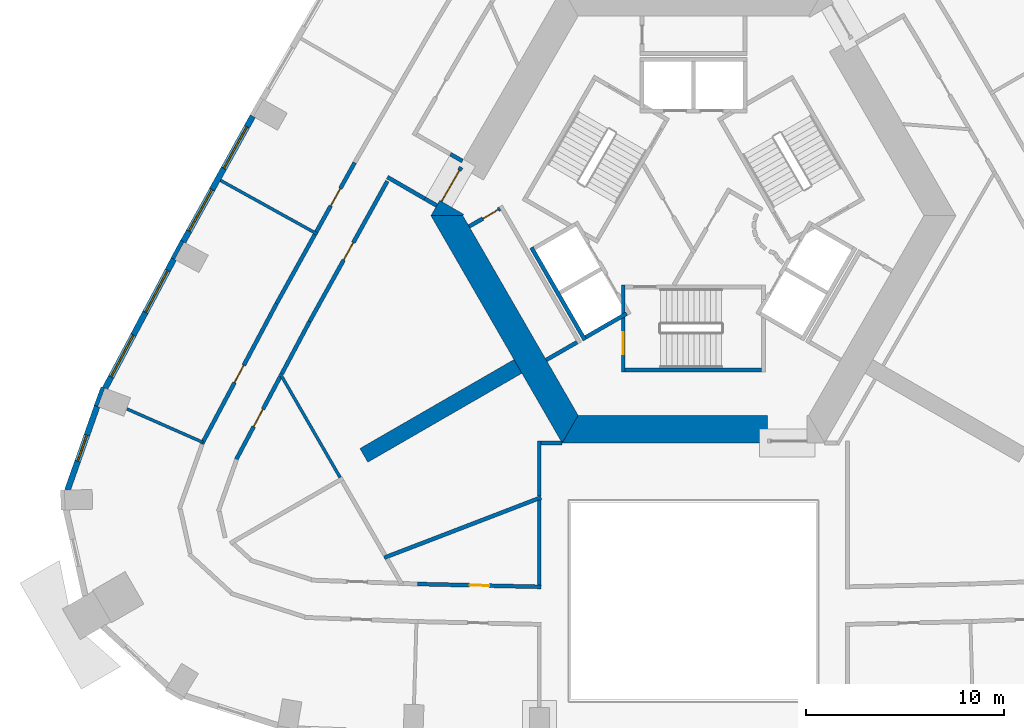
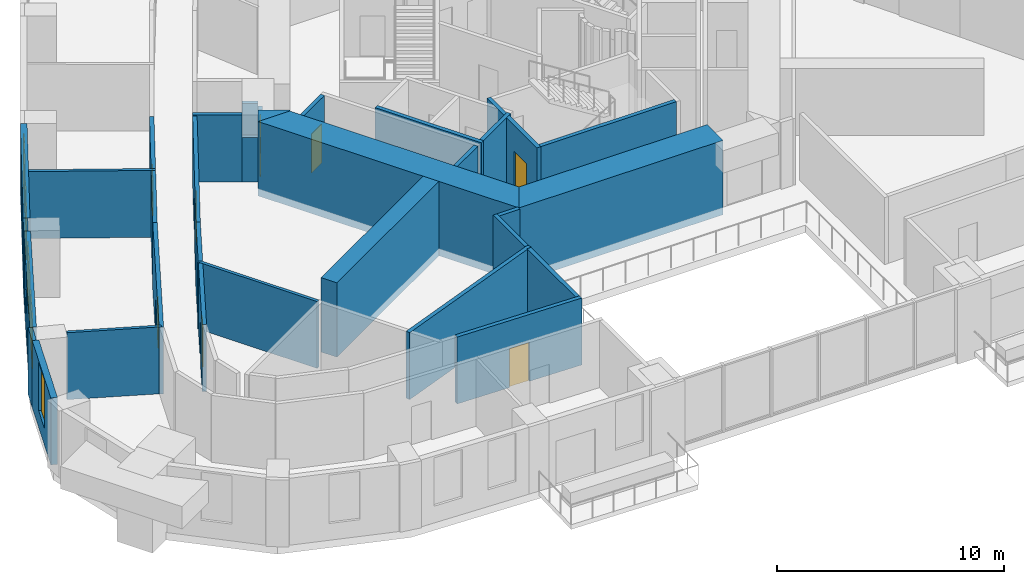
# One storey, part 4 of 13: 33 walls, 8 doors, 5 windows, 13 openings.
"""IFC4 building model written with IfcOpenShell, lengths in metres."""

from ifc_helpers import new_model, si_unit, direction, frame, frame_2d, origin, place, context, subcontext, project, spatial, polyline, rectangle, outline, extrude, material, layer, layer_set, type_object, element, fill, save


model = new_model("IFC4")

# Units and contexts
model_context = context("Model", 3, precision=1e-05, world=origin(), true_north=direction((0.0, 1.0)))
body_context = subcontext(model_context, "Body", "Model", "MODEL_VIEW")
ifc_project = project(units=[si_unit("LENGTHUNIT", "METRE"), si_unit("AREAUNIT", "SQUARE_METRE"), si_unit("VOLUMEUNIT", "CUBIC_METRE"), si_unit("PLANEANGLEUNIT", "RADIAN"), si_unit("MASSUNIT", "GRAM", prefix="KILO")], contexts=[model_context])

# Site, building, storey
site_placement = place(None, origin())
site = spatial("IfcSite", under=ifc_project, at=site_placement, CompositionType="ELEMENT")
building_placement = place(site_placement, origin())
building = spatial("IfcBuilding", under=site, at=building_placement, Name="Entoto Arch Interchange Tower", CompositionType="ELEMENT")
storey_placement = place(building_placement, frame((0.0, 0.0, 231.800048828125)))
storey = spatial("IfcBuildingStorey", under=building, at=storey_placement, Name="L52", CompositionType="ELEMENT", Elevation=231.800048828125)

# Wall
ifc_material_1 = material(Name="Concrete C50/60", Category="concrete")
ifc_layer_1 = layer(ifc_material_1, 0.800048828125)
ifc_layer_set_1 = layer_set([ifc_layer_1], Name="Concrete C50/60")
wall_type_1 = type_object("IfcWallType", Name="Buttress wall 800 C50/60", PredefinedType="SHEAR", material=ifc_layer_set_1)
wall_1_placement = place(storey_placement, frame((-8.876953125, -5.125, -0.400146484375), z_axis=(0.0, 0.0, 1.0), x_axis=(-0.866017533419, -0.500013631625, 0.0)))
element("IfcWall", 1, at=wall_1_placement, inside=storey, type_object=wall_type_1, Name="Buttress wall SW L52", PredefinedType="SHEAR", context=body_context, shape_type="SweptSolid", body=[
    extrude(rectangle(XDim=8.999755859375, YDim=0.800048828125, at=frame_2d((4.5, 0.0))), origin(), (0.0, 0.0, 1.0), 4.0),
])

# Wall, opening, door
ifc_material_2 = material(Name="Reinforced concrete C40/50", Category="concrete")
ifc_layer_2 = layer(ifc_material_2, 0.199951171875)
ifc_layer_set_2 = layer_set([ifc_layer_2], Name="Reinforced concrete C40/50")
wall_type_2 = type_object("IfcWallType", Name="CORE GAP INFILL WALL", PredefinedType="PARTITIONING", material=ifc_layer_set_2)
wall_2_placement = place(storey_placement, frame((-11.7470703125, 4.951904296875, 0.0), z_axis=(0.0, 0.0, 1.0), x_axis=(-0.50002537861, -0.866010750942, 0.0)))
wall_2 = element("IfcWall", 2, at=wall_2_placement, inside=storey, type_object=wall_type_2, Name="wall:L52:gap3", PredefinedType="PARTITIONING", context=body_context, shape_type="SweptSolid", body=[
    extrude(rectangle(XDim=2.0, YDim=0.199951171875, at=frame_2d((1.0, 0.0))), origin(), (0.0, 0.0, 1.0), 2.39990234375),
])
opening_1_placement = place(wall_2_placement, frame((0.18994140625, 0.0, 0.0)))
opening_1 = element("IfcOpeningElement", 3, at=opening_1_placement, cuts=wall_2, Name="Opening L52-D93", PredefinedType="OPENING", context=body_context, shape_type="SweptSolid", body=[
    extrude(rectangle(XDim=1.800048828125, YDim=2.10009765625, at=frame_2d((0.89990234375, 1.050048828125))), frame((0.0, 0.10986328125, 0.0), z_axis=(0.0, -1.0, 0.0), x_axis=(1.0, 0.0, 0.0)), (0.0, 0.0, 1.0), 0.219970703125),
])
ifc_material_3 = material(Name="Fire-rated Steel S235 door and frame", Category="steel")
door_type_1 = type_object("IfcDoorType", Name="DOOR FD-18 1800x2100", OperationType="DOUBLE_DOOR_SINGLE_SWING", PredefinedType="DOOR", material=ifc_material_3)
door_1_placement = place(opening_1_placement, origin())
door_1 = element("IfcDoor", 4, at=door_1_placement, inside=storey, type_object=door_type_1, Name="door:L52:gap3", OperationType="DOUBLE_DOOR_SINGLE_SWING", OverallHeight=2.10009765625, OverallWidth=1.800048828125, PredefinedType="DOOR", context=body_context, shape_type="SweptSolid", body=[
    extrude(rectangle(XDim=1.800048828125, YDim=2.10009765625, at=frame_2d((0.89990234375, 1.050048828125))), frame((0.0, 0.02490234375, 0.0), z_axis=(0.0, -1.0, 0.0), x_axis=(1.0, 0.0, 0.0)), (0.0, 0.0, 1.0), 0.050048828125),
])
fill(opening_1, door_1)

# Walls
ifc_layer_3 = layer(ifc_material_1, 1.39990234375)
ifc_layer_set_3 = layer_set([ifc_layer_3], Name="Concrete C50/60")
wall_type_3 = type_object("IfcWallType", Name="Core wall 1400 C50/60", PredefinedType="SHEAR", material=ifc_layer_set_3)
wall_3_placement = place(storey_placement, frame((0.0, 0.0, -0.400146484375)))
element("IfcWall", 5, at=wall_3_placement, inside=storey, type_object=wall_type_3, Name="Core wall NW L52", PredefinedType="SHEAR", context=body_context, shape_type="SweptSolid", body=[
    extrude(outline(polyline([(-11.6220703125, 2.570068359375), (-12.833984375, 3.27001953125), (-13.279052734375, 2.5), (-11.662109375, 2.5), (-11.6220703125, 2.570068359375)])), origin(), (0.0, 0.0, 1.0), 4.0),
])
wall_4_placement = place(storey_placement, frame((0.0, 0.0, -0.400146484375)))
element("IfcWall", 6, at=wall_4_placement, inside=storey, type_object=wall_type_3, Name="Core wall SW L52", PredefinedType="SHEAR", context=body_context, shape_type="SweptSolid", body=[
    extrude(outline(polyline([(-13.279052734375, 2.5), (-6.639892578125, -9.0), (-5.8310546875, -7.60009765625), (-11.662109375, 2.5), (-13.279052734375, 2.5)])), origin(), (0.0, 0.0, 1.0), 4.0),
])
wall_5_placement = place(storey_placement, frame((0.0, 0.0, -0.400146484375)))
element("IfcWall", 7, at=wall_5_placement, inside=storey, type_object=wall_type_3, Name="Core wall S L52", PredefinedType="SHEAR", context=body_context, shape_type="SweptSolid", body=[
    extrude(outline(polyline([(3.75, -9.0), (3.75, -7.60009765625), (-5.8310546875, -7.60009765625), (-6.639892578125, -9.0), (3.75, -9.0)])), origin(), (0.0, 0.0, 1.0), 4.0),
])
ifc_material_4 = material(Name="Concrete C40/50", Category="concrete")
ifc_layer_4 = layer(ifc_material_4, 0.199951171875)
ifc_layer_set_4 = layer_set([ifc_layer_4], Name="Concrete C40/50")
wall_type_4 = type_object("IfcWallType", Name="LIFT SHAFT WALL 200", PredefinedType="STANDARD", material=ifc_layer_set_4)
wall_6_placement = place(storey_placement, frame((-8.19189453125, 0.887939453125, 0.0), z_axis=(0.0, 0.0, 1.0), x_axis=(0.500034260056, -0.866005622828, 0.0)))
element("IfcWall", 8, at=wall_6_placement, inside=storey, type_object=wall_type_4, Name="Shaft wall SW1 back", PredefinedType="STANDARD", context=body_context, shape_type="SweptSolid", body=[
    extrude(rectangle(XDim=5.3994140625, YDim=0.199951171875, at=frame_2d((2.69970703125, 0.0))), origin(), (0.0, 0.0, 1.0), 3.599853515625),
])
wall_7_placement = place(storey_placement, frame((-3.376953125, -2.451904296875, 0.0), z_axis=(0.0, 0.0, 1.0), x_axis=(-0.865955154139, -0.50012165622, 0.0)))
element("IfcWall", 9, at=wall_7_placement, inside=storey, type_object=wall_type_4, Name="Shaft wall SW1 cross 3", PredefinedType="STANDARD", context=body_context, shape_type="SweptSolid", body=[
    extrude(rectangle(XDim=2.39990234375, YDim=0.199951171875, at=frame_2d((1.199951171875, 0.0))), origin(), (0.0, 0.0, 1.0), 3.599853515625),
])
ifc_material_5 = material(Name="Gypsum board partition on steel studs", Category="steel")
ifc_layer_5 = layer(ifc_material_5, 0.14990234375)
ifc_layer_set_5 = layer_set([ifc_layer_5], Name="Gypsum board partition on steel studs")
wall_type_5 = type_object("IfcWallType", Name="PARTITION 150", PredefinedType="PARTITIONING", material=ifc_layer_set_5)
wall_8_placement = place(storey_placement, frame((-17.8701171875, -10.7490234375, 0.0), z_axis=(0.0, 0.0, 1.0), x_axis=(-0.499907758807, 0.866078652713, 0.0)))
element("IfcWall", 10, at=wall_8_placement, inside=storey, type_object=wall_type_5, Name="wall:L52:p110", PredefinedType="PARTITIONING", context=body_context, shape_type="SweptSolid", body=[
    extrude(rectangle(XDim=6.082763671875, YDim=0.14990234375, at=frame_2d((3.04150390625, 0.0))), origin(), (0.0, 0.0, 1.0), 3.599853515625),
])
wall_9_placement = place(storey_placement, frame((-19.02490234375, 1.570068359375, 0.0), z_axis=(0.0, 0.0, 1.0), x_axis=(-0.874714019242, 0.484639437666, 0.0)))
element("IfcWall", 11, at=wall_9_placement, inside=storey, type_object=wall_type_5, Name="wall:L52:p124", PredefinedType="PARTITIONING", context=body_context, shape_type="SweptSolid", body=[
    extrude(rectangle(XDim=5.599853515625, YDim=0.14990234375, at=frame_2d((2.7998046875, 0.0))), origin(), (0.0, 0.0, 1.0), 3.599853515625),
])
wall_10_placement = place(storey_placement, frame((-24.819091796875, -8.964111328125, 0.0), z_axis=(0.0, 0.0, 1.0), x_axis=(-0.915460951187, 0.402406817602, 0.0)))
element("IfcWall", 12, at=wall_10_placement, inside=storey, type_object=wall_type_5, Name="wall:L52:p125", PredefinedType="PARTITIONING", context=body_context, shape_type="SweptSolid", body=[
    extrude(rectangle(XDim=4.1923828125, YDim=0.14990234375, at=frame_2d((2.09619140625, 0.0))), origin(), (0.0, 0.0, 1.0), 3.599853515625),
])

# Wall, opening, door
ifc_layer_6 = layer(ifc_material_5, 0.199951171875)
ifc_layer_set_6 = layer_set([ifc_layer_6], Name="Gypsum board partition on steel studs")
wall_type_6 = type_object("IfcWallType", Name="PARTITION 200", PredefinedType="PARTITIONING", material=ifc_layer_set_6)
wall_11_placement = place(storey_placement, frame((-15.48193359375, 4.2490234375, 0.0), z_axis=(0.0, 0.0, 1.0), x_axis=(-0.484683114876, -0.874689818252, 0.0)))
wall_11 = element("IfcWall", 13, at=wall_11_placement, inside=storey, type_object=wall_type_6, Name="wall:L52:p029", PredefinedType="PARTITIONING", context=body_context, shape_type="SweptSolid", body=[
    extrude(rectangle(XDim=8.122802734375, YDim=0.199951171875, at=frame_2d((4.0615234375, 0.0))), origin(), (0.0, 0.0, 1.0), 3.599853515625),
])
opening_2_placement = place(wall_11_placement, frame((3.56103515625, 0.0, 0.0)))
opening_2 = element("IfcOpeningElement", 14, at=opening_2_placement, cuts=wall_11, Name="Opening L52-D20", PredefinedType="OPENING", context=body_context, shape_type="SweptSolid", body=[
    extrude(rectangle(XDim=1.0, YDim=2.10009765625, at=frame_2d((0.5, 1.050048828125))), frame((0.0, 0.10986328125, 0.0), z_axis=(0.0, -1.0, 0.0), x_axis=(1.0, 0.0, 0.0)), (0.0, 0.0, 1.0), 0.219970703125),
])
ifc_material_6 = material(Name="Timber door leaf in Steel S235 frame", Category="steel")
door_type_2 = type_object("IfcDoorType", Name="DOOR DS-10 1000x2100", OperationType="SINGLE_SWING_LEFT", PredefinedType="DOOR", material=ifc_material_6)
door_2_placement = place(opening_2_placement, origin())
door_2 = element("IfcDoor", 15, at=door_2_placement, inside=storey, type_object=door_type_2, Name="door:L52:20", OperationType="SINGLE_SWING_LEFT", OverallHeight=2.10009765625, OverallWidth=1.0, PredefinedType="DOOR", context=body_context, shape_type="SweptSolid", body=[
    extrude(rectangle(XDim=1.0, YDim=2.10009765625, at=frame_2d((0.5, 1.050048828125))), frame((0.0, 0.02490234375, 0.0), z_axis=(0.0, -1.0, 0.0), x_axis=(1.0, 0.0, 0.0)), (0.0, 0.0, 1.0), 0.050048828125),
])
fill(opening_2, door_2)

# Walls
wall_12_placement = place(storey_placement, frame((-19.4189453125, -2.85595703125, 0.0), z_axis=(0.0, 0.0, 1.0), x_axis=(-0.469627838973, -0.882864481595, 0.0)))
element("IfcWall", 16, at=wall_12_placement, inside=storey, type_object=wall_type_6, Name="wall:L52:p030", PredefinedType="PARTITIONING", context=body_context, shape_type="SweptSolid", body=[
    extrude(rectangle(XDim=2.995849609375, YDim=0.199951171875, at=frame_2d((1.498046875, 0.0))), origin(), (0.0, 0.0, 1.0), 3.599853515625),
])
wall_13_placement = place(storey_placement, frame((-12.98388671875, 3.010009765625, 0.0), z_axis=(0.0, 0.0, 1.0), x_axis=(-0.865959057869, 0.500114896893, 0.0)))
element("IfcWall", 17, at=wall_13_placement, inside=storey, type_object=wall_type_6, Name="wall:L52:p031", PredefinedType="PARTITIONING", context=body_context, shape_type="SweptSolid", body=[
    extrude(rectangle(XDim=0.699951171875, YDim=0.199951171875, at=frame_2d((0.35009765625, 0.0))), origin(), (0.0, 0.0, 1.0), 2.39990234375),
])

# Wall, opening, door
wall_14_placement = place(storey_placement, frame((-13.9541015625, -16.133056640625, 0.0), z_axis=(0.0, 0.0, 1.0), x_axis=(0.999731273021, -0.023181495732, 0.0)))
wall_14 = element("IfcWall", 18, at=wall_14_placement, inside=storey, type_object=wall_type_6, Name="wall:L52:p033", PredefinedType="PARTITIONING", context=body_context, shape_type="SweptSolid", body=[
    extrude(rectangle(XDim=6.255859375, YDim=0.199951171875, at=frame_2d((3.1279296875, 0.0))), origin(), (0.0, 0.0, 1.0), 3.599853515625),
])
opening_3_placement = place(wall_14_placement, frame((2.6279296875, 0.0, 0.0)))
opening_3 = element("IfcOpeningElement", 19, at=opening_3_placement, cuts=wall_14, Name="Opening L52-D21", PredefinedType="OPENING", context=body_context, shape_type="SweptSolid", body=[
    extrude(rectangle(XDim=1.0, YDim=2.10009765625, at=frame_2d((0.5, 1.050048828125))), frame((0.0, 0.10986328125, 0.0), z_axis=(0.0, -1.0, 0.0), x_axis=(1.0, 0.0, 0.0)), (0.0, 0.0, 1.0), 0.219970703125),
])
door_3_placement = place(opening_3_placement, origin())
door_3 = element("IfcDoor", 20, at=door_3_placement, inside=storey, type_object=door_type_2, Name="door:L52:21", OperationType="SINGLE_SWING_LEFT", OverallHeight=2.10009765625, OverallWidth=1.0, PredefinedType="DOOR", context=body_context, shape_type="SweptSolid", body=[
    extrude(rectangle(XDim=1.0, YDim=2.10009765625, at=frame_2d((0.5, 1.050048828125))), frame((0.0, 0.02490234375, 0.0), z_axis=(0.0, -1.0, 0.0), x_axis=(1.0, 0.0, 0.0)), (0.0, 0.0, 1.0), 0.050048828125),
])
fill(opening_3, door_3)

wall_15_placement = place(storey_placement, frame((-20.89599609375, -5.634033203125, 0.0), z_axis=(0.0, 0.0, 1.0), x_axis=(-0.469448951755, -0.882959614986, 0.0)))
wall_15 = element("IfcWall", 21, at=wall_15_placement, inside=storey, type_object=wall_type_6, Name="wall:L52:p034", PredefinedType="PARTITIONING", context=body_context, shape_type="SweptSolid", body=[
    extrude(rectangle(XDim=4.73974609375, YDim=0.199951171875, at=frame_2d((2.369873046875, 0.0))), origin(), (0.0, 0.0, 1.0), 3.599853515625),
])
opening_4_placement = place(wall_15_placement, frame((1.8701171875, 0.0, 0.0)))
opening_4 = element("IfcOpeningElement", 22, at=opening_4_placement, cuts=wall_15, Name="Opening L52-D22", PredefinedType="OPENING", context=body_context, shape_type="SweptSolid", body=[
    extrude(rectangle(XDim=1.0, YDim=2.10009765625, at=frame_2d((0.5, 1.050048828125))), frame((0.0, 0.10986328125, 0.0), z_axis=(0.0, -1.0, 0.0), x_axis=(1.0, 0.0, 0.0)), (0.0, 0.0, 1.0), 0.219970703125),
])
door_4_placement = place(opening_4_placement, origin())
door_4 = element("IfcDoor", 23, at=door_4_placement, inside=storey, type_object=door_type_2, Name="door:L52:22", OperationType="SINGLE_SWING_LEFT", OverallHeight=2.10009765625, OverallWidth=1.0, PredefinedType="DOOR", context=body_context, shape_type="SweptSolid", body=[
    extrude(rectangle(XDim=1.0, YDim=2.10009765625, at=frame_2d((0.5, 1.050048828125))), frame((0.0, 0.02490234375, 0.0), z_axis=(0.0, -1.0, 0.0), x_axis=(1.0, 0.0, 0.0)), (0.0, 0.0, 1.0), 0.050048828125),
])
fill(opening_4, door_4)

wall_16_placement = place(storey_placement, frame((-19.075927734375, 1.68408203125, 0.0), z_axis=(0.0, 0.0, 1.0), x_axis=(0.484679349661, 0.874691904623, 0.0)))
wall_16 = element("IfcWall", 24, at=wall_16_placement, inside=storey, type_object=wall_type_6, Name="wall:L52:p061", PredefinedType="PARTITIONING", context=body_context, shape_type="SweptSolid", body=[
    extrude(rectangle(XDim=4.00244140625, YDim=0.199951171875, at=frame_2d((2.001220703125, 0.0))), origin(), (0.0, 0.0, 1.0), 3.599853515625),
])
opening_5_placement = place(wall_16_placement, frame((1.5009765625, 0.0, 0.0)))
opening_5 = element("IfcOpeningElement", 25, at=opening_5_placement, cuts=wall_16, Name="Opening L52-D11", PredefinedType="OPENING", context=body_context, shape_type="SweptSolid", body=[
    extrude(rectangle(XDim=1.0, YDim=2.10009765625, at=frame_2d((0.5, 1.050048828125))), frame((0.0, 0.10986328125, 0.0), z_axis=(0.0, -1.0, 0.0), x_axis=(1.0, 0.0, 0.0)), (0.0, 0.0, 1.0), 0.219970703125),
])
door_5_placement = place(opening_5_placement, origin())
door_5 = element("IfcDoor", 26, at=door_5_placement, inside=storey, type_object=door_type_2, Name="door:L52:11", OperationType="SINGLE_SWING_LEFT", OverallHeight=2.10009765625, OverallWidth=1.0, PredefinedType="DOOR", context=body_context, shape_type="SweptSolid", body=[
    extrude(rectangle(XDim=1.0, YDim=2.10009765625, at=frame_2d((0.5, 1.050048828125))), frame((0.0, 0.02490234375, 0.0), z_axis=(0.0, -1.0, 0.0), x_axis=(1.0, 0.0, 0.0)), (0.0, 0.0, 1.0), 0.050048828125),
])
fill(opening_5, door_5)

wall_17_placement = place(storey_placement, frame((-24.865966796875, -9.052978515625, 0.0), z_axis=(0.0, 0.0, 1.0), x_axis=(0.469431794586, 0.882968736837, 0.0)))
wall_17 = element("IfcWall", 27, at=wall_17_placement, inside=storey, type_object=wall_type_6, Name="wall:L52:p063", PredefinedType="PARTITIONING", context=body_context, shape_type="SweptSolid", body=[
    extrude(rectangle(XDim=8.045654296875, YDim=0.199951171875, at=frame_2d((4.02294921875, 0.0))), origin(), (0.0, 0.0, 1.0), 3.599853515625),
])
opening_6_placement = place(wall_17_placement, frame((3.52197265625, 0.0, 0.0)))
opening_6 = element("IfcOpeningElement", 28, at=opening_6_placement, cuts=wall_17, Name="Opening L52-D12", PredefinedType="OPENING", context=body_context, shape_type="SweptSolid", body=[
    extrude(rectangle(XDim=1.0, YDim=2.10009765625, at=frame_2d((0.5, 1.050048828125))), frame((0.0, 0.10986328125, 0.0), z_axis=(0.0, -1.0, 0.0), x_axis=(1.0, 0.0, 0.0)), (0.0, 0.0, 1.0), 0.219970703125),
])
door_6_placement = place(opening_6_placement, origin())
door_6 = element("IfcDoor", 29, at=door_6_placement, inside=storey, type_object=door_type_2, Name="door:L52:12", OperationType="SINGLE_SWING_LEFT", OverallHeight=2.10009765625, OverallWidth=1.0, PredefinedType="DOOR", context=body_context, shape_type="SweptSolid", body=[
    extrude(rectangle(XDim=1.0, YDim=2.10009765625, at=frame_2d((0.5, 1.050048828125))), frame((0.0, 0.02490234375, 0.0), z_axis=(0.0, -1.0, 0.0), x_axis=(1.0, 0.0, 0.0)), (0.0, 0.0, 1.0), 0.050048828125),
])
fill(opening_6, door_6)

# Walls
wall_18_placement = place(storey_placement, frame((-21.089111328125, -1.948974609375, 0.0), z_axis=(0.0, 0.0, 1.0), x_axis=(0.484622593188, 0.874723351793, 0.0)))
element("IfcWall", 30, at=wall_18_placement, inside=storey, type_object=wall_type_6, Name="wall:L52:p064", PredefinedType="PARTITIONING", context=body_context, shape_type="SweptSolid", body=[
    extrude(rectangle(XDim=4.00341796875, YDim=0.199951171875, at=frame_2d((2.001708984375, 0.0))), origin(), (0.0, 0.0, 1.0), 3.599853515625),
])
wall_19_placement = place(storey_placement, frame((-5.887939453125, -3.902099609375, 0.0), z_axis=(0.0, 0.0, 1.0), x_axis=(-0.866316547501, -0.499495384889, 0.0)))
element("IfcWall", 31, at=wall_19_placement, inside=storey, type_object=wall_type_6, Name="wall:L52:p077", PredefinedType="PARTITIONING", context=body_context, shape_type="SweptSolid", body=[
    extrude(rectangle(XDim=1.799560546875, YDim=0.199951171875, at=frame_2d((0.89990234375, 0.0))), origin(), (0.0, 0.0, 1.0), 3.599853515625),
])

# Wall, opening, door
wall_20_placement = place(storey_placement, frame((-11.346923828125, 1.9541015625, 0.0), z_axis=(0.0, 0.0, 1.0), x_axis=(0.866282695276, 0.499554093032, 0.0)))
wall_20 = element("IfcWall", 32, at=wall_20_placement, inside=storey, type_object=wall_type_6, Name="wall:L52:p078", PredefinedType="PARTITIONING", context=body_context, shape_type="SweptSolid", body=[
    extrude(rectangle(XDim=1.799560546875, YDim=0.199951171875, at=frame_2d((0.89990234375, 0.0))), origin(), (0.0, 0.0, 1.0), 3.599853515625),
])
opening_7_placement = place(wall_20_placement, frame((0.800048828125, 0.0, 0.0)))
opening_7 = element("IfcOpeningElement", 33, at=opening_7_placement, cuts=wall_20, Name="Opening L52-D31", PredefinedType="OPENING", context=body_context, shape_type="SweptSolid", body=[
    extrude(rectangle(XDim=0.89990234375, YDim=2.10009765625, at=frame_2d((0.449951171875, 1.050048828125))), frame((0.0, 0.10986328125, 0.0), z_axis=(0.0, -1.0, 0.0), x_axis=(1.0, 0.0, 0.0)), (0.0, 0.0, 1.0), 0.219970703125),
])
door_type_3 = type_object("IfcDoorType", Name="DOOR DS-09 900x2100", OperationType="SINGLE_SWING_LEFT", PredefinedType="DOOR", material=ifc_material_6)
door_7_placement = place(opening_7_placement, origin())
door_7 = element("IfcDoor", 34, at=door_7_placement, inside=storey, type_object=door_type_3, Name="door:L52:31", OperationType="SINGLE_SWING_LEFT", OverallHeight=2.10009765625, OverallWidth=0.89990234375, PredefinedType="DOOR", context=body_context, shape_type="SweptSolid", body=[
    extrude(rectangle(XDim=0.89990234375, YDim=2.10009765625, at=frame_2d((0.449951171875, 1.050048828125))), frame((0.0, 0.02490234375, 0.0), z_axis=(0.0, -1.0, 0.0), x_axis=(1.0, 0.0, 0.0)), (0.0, 0.0, 1.0), 0.050048828125),
])
fill(opening_7, door_7)

# Walls
wall_21_placement = place(storey_placement, frame((-7.800048828125, -11.68994140625, 0.0), z_axis=(0.0, 0.0, 1.0), x_axis=(0.0, 1.0, 0.0)))
element("IfcWall", 35, at=wall_21_placement, inside=storey, type_object=wall_type_6, Name="wall:L52:p099", PredefinedType="PARTITIONING", context=body_context, shape_type="SweptSolid", body=[
    extrude(rectangle(XDim=2.791015625, YDim=0.199951171875, at=frame_2d((1.3955078125, 0.0))), origin(), (0.0, 0.0, 1.0), 3.599853515625),
])
wall_22_placement = place(storey_placement, frame((-7.699951171875, -8.9990234375, 0.0), z_axis=(0.0, 0.0, 1.0), x_axis=(1.0, 0.0, 0.0)))
element("IfcWall", 36, at=wall_22_placement, inside=storey, type_object=wall_type_6, Name="wall:L52:p100", PredefinedType="PARTITIONING", context=body_context, shape_type="SweptSolid", body=[
    extrude(rectangle(XDim=1.058837890625, YDim=0.199951171875, at=frame_2d((0.529296875, 0.0))), origin(), (0.0, 0.0, 1.0), 3.599853515625),
])
wall_23_placement = place(storey_placement, frame((-7.800048828125, -16.176025390625, 0.0), z_axis=(0.0, 0.0, 1.0), x_axis=(0.0, 1.0, 0.0)))
element("IfcWall", 37, at=wall_23_placement, inside=storey, type_object=wall_type_6, Name="wall:L52:p101", PredefinedType="PARTITIONING", context=body_context, shape_type="SweptSolid", body=[
    extrude(rectangle(XDim=4.2861328125, YDim=0.199951171875, at=frame_2d((2.14306640625, 0.0))), origin(), (0.0, 0.0, 1.0), 3.599853515625),
])
wall_24_placement = place(storey_placement, frame((-7.70703125, -11.7548828125, 0.0), z_axis=(0.0, 0.0, 1.0), x_axis=(-0.933420343818, -0.358784701105, 0.0)))
element("IfcWall", 38, at=wall_24_placement, inside=storey, type_object=wall_type_6, Name="wall:L52:p109", PredefinedType="PARTITIONING", context=body_context, shape_type="SweptSolid", body=[
    extrude(rectangle(XDim=8.5009765625, YDim=0.199951171875, at=frame_2d((4.25048828125, 0.0))), origin(), (0.0, 0.0, 1.0), 3.599853515625),
])
wall_25_placement = place(storey_placement, frame((-12.2900390625, 5.612060546875, 0.0), z_axis=(0.0, 0.0, 1.0), x_axis=(0.865871789474, -0.500265973451, 0.0)))
element("IfcWall", 39, at=wall_25_placement, inside=storey, type_object=wall_type_6, Name="wall:L52:p004", PredefinedType="PARTITIONING", context=body_context, shape_type="SweptSolid", body=[
    extrude(rectangle(XDim=0.69970703125, YDim=0.199951171875, at=frame_2d((0.349853515625, 0.0))), origin(), (0.0, 0.0, 1.0), 2.39990234375),
])
wall_26_placement = place(storey_placement, frame((-13.590087890625, 3.360107421875, 0.0), z_axis=(0.0, 0.0, 1.0), x_axis=(-0.866004963011, 0.500035402787, 0.0)))
element("IfcWall", 40, at=wall_26_placement, inside=storey, type_object=wall_type_6, Name="wall:L52:p031", PredefinedType="PARTITIONING", context=body_context, shape_type="SweptSolid", body=[
    extrude(rectangle(XDim=2.183349609375, YDim=0.199951171875, at=frame_2d((1.091796875, 0.0))), origin(), (0.0, 0.0, 1.0), 3.599853515625),
])

# Wall, opening, door
ifc_layer_7 = layer(ifc_material_4, 0.199951171875)
ifc_layer_set_7 = layer_set([ifc_layer_7], Name="Concrete C40/50")
wall_type_7 = type_object("IfcWallType", Name="STAIR ENCLOSURE WALL 200", PredefinedType="STANDARD", material=ifc_layer_set_7)
wall_27_placement = place(storey_placement, frame((-3.550048828125, -1.0, 0.0), z_axis=(0.0, 0.0, 1.0), x_axis=(0.0, -1.0, 0.0)))
wall_27 = element("IfcWall", 41, at=wall_27_placement, inside=storey, type_object=wall_type_7, Name="Stair wall ST-S near", PredefinedType="STANDARD", context=body_context, shape_type="SweptSolid", body=[
    extrude(rectangle(XDim=4.39990234375, YDim=0.199951171875, at=frame_2d((2.199951171875, 0.0))), origin(), (0.0, 0.0, 1.0), 3.599853515625),
])
opening_8_placement = place(wall_27_placement, frame((2.39990234375, 0.0, 0.0)))
opening_8 = element("IfcOpeningElement", 42, at=opening_8_placement, cuts=wall_27, Name="Opening SD-ST-S-L52-E", PredefinedType="OPENING", context=body_context, shape_type="SweptSolid", body=[
    extrude(rectangle(XDim=1.10009765625, YDim=2.199951171875, at=frame_2d((0.550048828125, 1.10009765625))), frame((0.0, 0.10986328125, 0.0), z_axis=(0.0, -1.0, 0.0), x_axis=(1.0, 0.0, 0.0)), (0.0, 0.0, 1.0), 0.219970703125),
])
ifc_material_7 = material(Name="Steel S235", Category="steel")
door_type_4 = type_object("IfcDoorType", Name="STAIR DOOR SD1 1100x2200", OperationType="SINGLE_SWING_LEFT", PredefinedType="DOOR", material=ifc_material_7)
door_8_placement = place(opening_8_placement, origin())
door_8 = element("IfcDoor", 43, at=door_8_placement, inside=storey, type_object=door_type_4, Name="Stair door ST-S L52 end", OperationType="SINGLE_SWING_LEFT", OverallHeight=2.199951171875, OverallWidth=1.10009765625, PredefinedType="DOOR", context=body_context, shape_type="SweptSolid", body=[
    extrude(rectangle(XDim=1.10009765625, YDim=2.199951171875, at=frame_2d((0.550048828125, 1.10009765625))), frame((0.0, 0.02490234375, 0.0), z_axis=(0.0, -1.0, 0.0), x_axis=(1.0, 0.0, 0.0)), (0.0, 0.0, 1.0), 0.050048828125),
])
fill(opening_8, door_8)

# Wall
wall_28_placement = place(storey_placement, frame((-3.449951171875, -5.300048828125, 0.0), z_axis=(0.0, 0.0, 1.0), x_axis=(1.0, 0.0, 0.0)))
element("IfcWall", 44, at=wall_28_placement, inside=storey, type_object=wall_type_7, Name="Stair wall ST-S back", PredefinedType="STANDARD", context=body_context, shape_type="SweptSolid", body=[
    extrude(rectangle(XDim=6.89990234375, YDim=0.199951171875, at=frame_2d((3.449951171875, 0.0))), origin(), (0.0, 0.0, 1.0), 3.599853515625),
])

# Wall, openings, windows
ifc_material_8 = material(Name="Welded tuff (ignimbrite) cladding, warm buff", Category="masonry")
ifc_layer_8 = layer(ifc_material_8, 0.300048828125)
ifc_layer_set_8 = layer_set([ifc_layer_8], Name="Welded tuff (ignimbrite) cladding, warm buff")
wall_type_8 = type_object("IfcWallType", Name="STONE INFILL WALL 300", PredefinedType="STANDARD", material=ifc_layer_set_8)
wall_29_placement = place(storey_placement, frame((-22.294921875, 7.531005859375, 0.0), z_axis=(0.0, 0.0, 1.0), x_axis=(-0.484742980126, -0.874656643043, 0.0)))
wall_29 = element("IfcWall", 45, at=wall_29_placement, inside=storey, type_object=wall_type_8, Name="Facade wall NW-04 L52", PredefinedType="STANDARD", context=body_context, shape_type="SweptSolid", body=[
    extrude(rectangle(XDim=7.257568359375, YDim=0.300048828125, at=frame_2d((3.62890625, 0.0))), origin(), (0.0, 0.0, 1.0), 3.599853515625),
])
opening_9_placement = place(wall_29_placement, frame((0.614013671875, 0.0, 0.89990234375)))
opening_9 = element("IfcOpeningElement", 46, at=opening_9_placement, cuts=wall_29, Name="Opening WO-A", PredefinedType="OPENING", context=body_context, shape_type="SweptSolid", body=[
    extrude(rectangle(XDim=2.39990234375, YDim=2.60009765625, at=frame_2d((1.199951171875, 1.300048828125))), frame((0.0, 0.16015625, 0.0), z_axis=(0.0, -1.0, 0.0), x_axis=(1.0, 0.0, 0.0)), (0.0, 0.0, 1.0), 0.320068359375),
])
opening_10_placement = place(wall_29_placement, frame((4.242919921875, 0.0, 0.89990234375)))
opening_10 = element("IfcOpeningElement", 47, at=opening_10_placement, cuts=wall_29, Name="Opening WO-A", PredefinedType="OPENING", context=body_context, shape_type="SweptSolid", body=[
    extrude(rectangle(XDim=2.39990234375, YDim=2.60009765625, at=frame_2d((1.199951171875, 1.300048828125))), frame((0.0, 0.16015625, 0.0), z_axis=(0.0, -1.0, 0.0), x_axis=(1.0, 0.0, 0.0)), (0.0, 0.0, 1.0), 0.320068359375),
])
ifc_material_9 = material(Name="Clear glass, low-e double glazed", Category="glass")
window_type_1 = type_object("IfcWindowType", Name="WINDOW WO-A 2400x2600", PartitioningType="DOUBLE_PANEL_VERTICAL", PredefinedType="WINDOW", material=ifc_material_9)
window_1_placement = place(opening_9_placement, origin())
window_1 = element("IfcWindow", 48, at=window_1_placement, inside=storey, type_object=window_type_1, Name="Window WO-A NW-04 L52", OverallHeight=2.60009765625, OverallWidth=2.39990234375, PartitioningType="SINGLE_PANEL", PredefinedType="WINDOW", context=body_context, shape_type="SweptSolid", body=[
    extrude(rectangle(XDim=2.39990234375, YDim=2.60009765625, at=frame_2d((1.199951171875, 1.300048828125))), frame((0.0, 0.030029296875, 0.0), z_axis=(0.0, -1.0, 0.0), x_axis=(1.0, 0.0, 0.0)), (0.0, 0.0, 1.0), 0.06005859375),
])
fill(opening_9, window_1)
window_2_placement = place(opening_10_placement, origin())
window_2 = element("IfcWindow", 49, at=window_2_placement, inside=storey, type_object=window_type_1, Name="Window WO-A NW-04 L52", OverallHeight=2.60009765625, OverallWidth=2.39990234375, PartitioningType="SINGLE_PANEL", PredefinedType="WINDOW", context=body_context, shape_type="SweptSolid", body=[
    extrude(rectangle(XDim=2.39990234375, YDim=2.60009765625, at=frame_2d((1.199951171875, 1.300048828125))), frame((0.0, 0.030029296875, 0.0), z_axis=(0.0, -1.0, 0.0), x_axis=(1.0, 0.0, 0.0)), (0.0, 0.0, 1.0), 0.06005859375),
])
fill(opening_10, window_2)

wall_30_placement = place(storey_placement, frame((-26.2890625, 0.305908203125, 0.0), z_axis=(0.0, 0.0, 1.0), x_axis=(-0.469429229062, -0.882970100797, 0.0)))
wall_30 = element("IfcWall", 50, at=wall_30_placement, inside=storey, type_object=wall_type_8, Name="Facade wall NW-05 L52", PredefinedType="STANDARD", context=body_context, shape_type="SweptSolid", body=[
    extrude(rectangle(XDim=7.404296875, YDim=0.300048828125, at=frame_2d((3.7021484375, 0.0))), origin(), (0.0, 0.0, 1.0), 3.599853515625),
])
opening_11_placement = place(wall_30_placement, frame((0.65087890625, 0.0, 0.89990234375)))
opening_11 = element("IfcOpeningElement", 51, at=opening_11_placement, cuts=wall_30, Name="Opening WO-A", PredefinedType="OPENING", context=body_context, shape_type="SweptSolid", body=[
    extrude(rectangle(XDim=2.39990234375, YDim=2.60009765625, at=frame_2d((1.199951171875, 1.300048828125))), frame((0.0, 0.16015625, 0.0), z_axis=(0.0, -1.0, 0.0), x_axis=(1.0, 0.0, 0.0)), (0.0, 0.0, 1.0), 0.320068359375),
])
opening_12_placement = place(wall_30_placement, frame((4.35302734375, 0.0, 0.89990234375)))
opening_12 = element("IfcOpeningElement", 52, at=opening_12_placement, cuts=wall_30, Name="Opening WO-A", PredefinedType="OPENING", context=body_context, shape_type="SweptSolid", body=[
    extrude(rectangle(XDim=2.39990234375, YDim=2.60009765625, at=frame_2d((1.199951171875, 1.300048828125))), frame((0.0, 0.16015625, 0.0), z_axis=(0.0, -1.0, 0.0), x_axis=(1.0, 0.0, 0.0)), (0.0, 0.0, 1.0), 0.320068359375),
])
window_3_placement = place(opening_11_placement, origin())
window_3 = element("IfcWindow", 53, at=window_3_placement, inside=storey, type_object=window_type_1, Name="Window WO-A NW-05 L52", OverallHeight=2.60009765625, OverallWidth=2.39990234375, PartitioningType="SINGLE_PANEL", PredefinedType="WINDOW", context=body_context, shape_type="SweptSolid", body=[
    extrude(rectangle(XDim=2.39990234375, YDim=2.60009765625, at=frame_2d((1.199951171875, 1.300048828125))), frame((0.0, 0.030029296875, 0.0), z_axis=(0.0, -1.0, 0.0), x_axis=(1.0, 0.0, 0.0)), (0.0, 0.0, 1.0), 0.06005859375),
])
fill(opening_11, window_3)
window_4_placement = place(opening_12_placement, origin())
window_4 = element("IfcWindow", 54, at=window_4_placement, inside=storey, type_object=window_type_1, Name="Window WO-A NW-05 L52", OverallHeight=2.60009765625, OverallWidth=2.39990234375, PartitioningType="SINGLE_PANEL", PredefinedType="WINDOW", context=body_context, shape_type="SweptSolid", body=[
    extrude(rectangle(XDim=2.39990234375, YDim=2.60009765625, at=frame_2d((1.199951171875, 1.300048828125))), frame((0.0, 0.030029296875, 0.0), z_axis=(0.0, -1.0, 0.0), x_axis=(1.0, 0.0, 0.0)), (0.0, 0.0, 1.0), 0.06005859375),
])
fill(opening_12, window_4)

# Wall, opening, window
wall_31_placement = place(storey_placement, frame((-30.1689453125, -7.14697265625, 0.0), z_axis=(0.0, 0.0, 1.0), x_axis=(-0.333280640478, -0.942827669663, 0.0)))
wall_31 = element("IfcWall", 55, at=wall_31_placement, inside=storey, type_object=wall_type_8, Name="Facade wall SW-01 L52", PredefinedType="STANDARD", context=body_context, shape_type="SweptSolid", body=[
    extrude(rectangle(XDim=4.491943359375, YDim=0.300048828125, at=frame_2d((2.24609375, 0.0))), origin(), (0.0, 0.0, 1.0), 3.599853515625),
])
opening_13_placement = place(wall_31_placement, frame((1.5458984375, 0.0, 0.89990234375)))
opening_13 = element("IfcOpeningElement", 56, at=opening_13_placement, cuts=wall_31, Name="Opening WO-B", PredefinedType="OPENING", context=body_context, shape_type="SweptSolid", body=[
    extrude(rectangle(XDim=1.39990234375, YDim=2.60009765625, at=frame_2d((0.699951171875, 1.300048828125))), frame((0.0, 0.16015625, 0.0), z_axis=(0.0, -1.0, 0.0), x_axis=(1.0, 0.0, 0.0)), (0.0, 0.0, 1.0), 0.320068359375),
])
window_type_2 = type_object("IfcWindowType", Name="WINDOW WO-B 1400x2600", PartitioningType="DOUBLE_PANEL_VERTICAL", PredefinedType="WINDOW", material=ifc_material_9)
window_5_placement = place(opening_13_placement, origin())
window_5 = element("IfcWindow", 57, at=window_5_placement, inside=storey, type_object=window_type_2, Name="Window WO-B SW-01 L52", OverallHeight=2.60009765625, OverallWidth=1.39990234375, PartitioningType="SINGLE_PANEL", PredefinedType="WINDOW", context=body_context, shape_type="SweptSolid", body=[
    extrude(rectangle(XDim=1.39990234375, YDim=2.60009765625, at=frame_2d((0.699951171875, 1.300048828125))), frame((0.0, 0.030029296875, 0.0), z_axis=(0.0, -1.0, 0.0), x_axis=(1.0, 0.0, 0.0)), (0.0, 0.0, 1.0), 0.06005859375),
])
fill(opening_13, window_5)

# Walls
ifc_layer_9 = layer(ifc_material_8, 0.199951171875)
ifc_layer_set_9 = layer_set([ifc_layer_9], Name="Welded tuff (ignimbrite) cladding, warm buff")
wall_type_9 = type_object("IfcWallType", Name="STONE PIER CLADDING 200", PredefinedType="STANDARD", material=ifc_layer_set_9)
wall_32_placement = place(storey_placement, frame((-25.862060546875, 1.2109375, 0.0), z_axis=(0.0, 0.0, 1.0), x_axis=(-0.473765014438, -0.880651299377, 0.0)))
element("IfcWall", 58, at=wall_32_placement, inside=storey, type_object=wall_type_9, Name="Stone pier NW05 L52", PredefinedType="STANDARD", context=body_context, shape_type="SweptSolid", body=[
    extrude(rectangle(XDim=1.000244140625, YDim=0.199951171875, at=frame_2d((0.5, 0.0))), origin(), (0.0, 0.0, 1.0), 3.599853515625),
])
wall_33_placement = place(storey_placement, frame((-29.8759765625, -6.18994140625, 0.0), z_axis=(0.0, 0.0, 1.0), x_axis=(-0.346892928577, -0.937904737222, 0.0)))
element("IfcWall", 59, at=wall_33_placement, inside=storey, type_object=wall_type_9, Name="Stone pier NW06 L52", PredefinedType="STANDARD", context=body_context, shape_type="SweptSolid", body=[
    extrude(rectangle(XDim=1.0, YDim=0.199951171875, at=frame_2d((0.5, 0.0))), origin(), (0.0, 0.0, 1.0), 3.599853515625),
])

save(model, "model.ifc")
